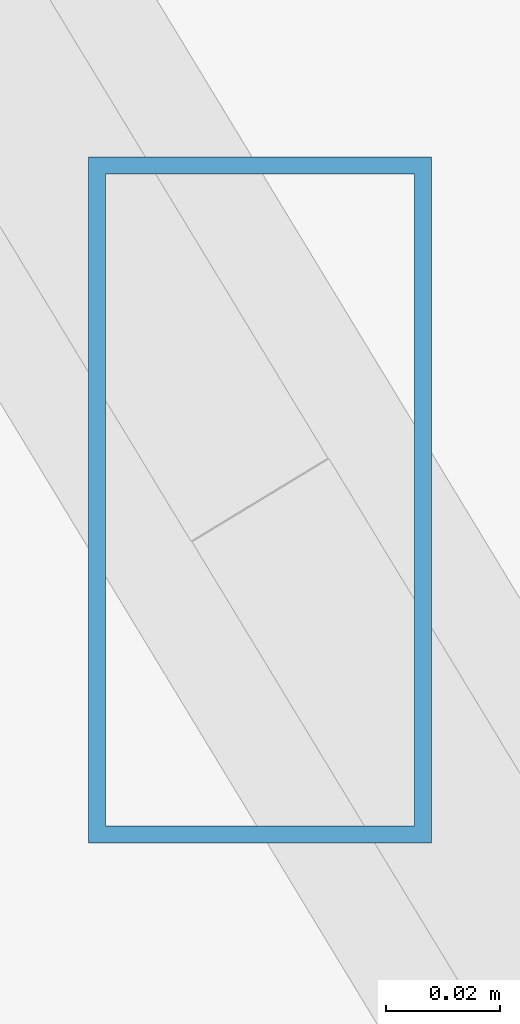
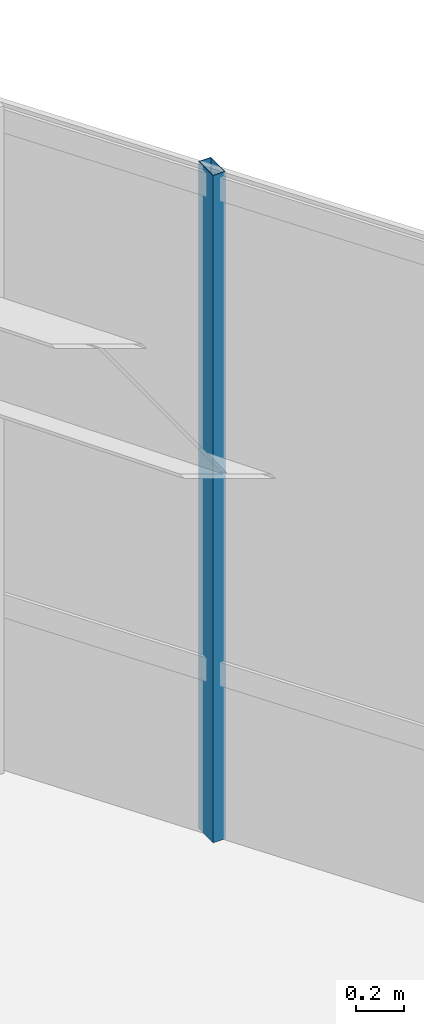
# One storey, part 23 of 45: 1 member, 1 element without a shape of its own.
"""IFC4 building model written with IfcOpenShell, lengths in metres."""

from ifc_helpers import new_model, si_unit, direction, frame, origin, origin_2d, place, context, subcontext, project, spatial, hollow_rectangle, extrude, source, transform, mapped, material, material_profile, profile_set, type_object, type_shapes, element, aggregate, save


model = new_model("IFC4")

# Units and contexts
model_context = context("Model", 3, precision=1e-05, world=origin(), true_north=direction((0.0, 1.0)))
body_context = subcontext(model_context, "Body", "Model", "MODEL_VIEW")
ifc_project = project(units=[si_unit("LENGTHUNIT", "METRE"), si_unit("AREAUNIT", "SQUARE_METRE"), si_unit("VOLUMEUNIT", "CUBIC_METRE"), si_unit("PLANEANGLEUNIT", "RADIAN"), si_unit("MASSUNIT", "GRAM", prefix="KILO")], contexts=[model_context])

# Site, building, storey
site_placement = place(None, origin())
site = spatial("IfcSite", under=ifc_project, at=site_placement, CompositionType="ELEMENT")
building_placement = place(site_placement, origin())
building = spatial("IfcBuilding", under=site, at=building_placement, Name="Caelisora Broadcast Tower", CompositionType="ELEMENT")
storey_placement = place(building_placement, frame((0.0, 0.0, 240.800048828125)))
storey = spatial("IfcBuildingStorey", under=building, at=storey_placement, Name="L63", CompositionType="ELEMENT", Elevation=240.800048828125)

# Curtain wall, member
ifc_material_1 = material(Name="Unitised Aluminium and Low-E Glass Curtain Wall", Category="glass")
curtain_wall_type = type_object("IfcCurtainWallType", Name="CW-Z5", PredefinedType="NOTDEFINED", material=ifc_material_1)
curtain_wall_placement = place(storey_placement, origin())
curtain_wall = element("IfcCurtainWall", 1, at=curtain_wall_placement, inside=storey, type_object=curtain_wall_type, Name="L63 curtain wall CW-Z5", PredefinedType="NOTDEFINED")
ifc_material_2 = material(Name="Aluminium 6063-T6 Anodised Terracotta Bronze", Category="aluminium")
ifc_material_profile = material_profile(ifc_material_2, hollow_rectangle(XDim=0.06005859375, YDim=0.1201171875, WallThickness=0.0029296875, at=origin_2d()), Name="Aluminium 6063-T6 Anodised Terracotta Bronze")
ifc_profile_set = profile_set([ifc_material_profile], Name="Aluminium 6063-T6 Anodised Terracotta Bronze")
member_type = type_object("IfcMemberType", Name="CWM-04", PredefinedType="MULLION", material=ifc_profile_set)
shared_shape = source(origin(), body_context, "Body", "SweptSolid", [
    extrude(hollow_rectangle(XDim=0.06005859375, YDim=0.1201171875, WallThickness=0.0029296875, at=origin_2d()), origin(), (0.0, 0.0, 1.0), 3.39990234375),
])
type_shapes(member_type, [shared_shape])
member_placement = place(storey_placement, frame((58.0810546875, 21.7490234375, 0.0), z_axis=(0.0, 0.0, 1.0), x_axis=(1.0, 0.0, 0.0)))
member = element("IfcMember", 2, at=member_placement, type_object=member_type, Name="L63-CW-B03 mullion #1", PredefinedType="MULLION", context=body_context, shape_type="MappedRepresentation", body=[
    mapped(shared_shape, transform((0.0, 0.0, 0.0), scale=1.0)),
])
aggregate(curtain_wall, [member])

save(model, "model.ifc")
